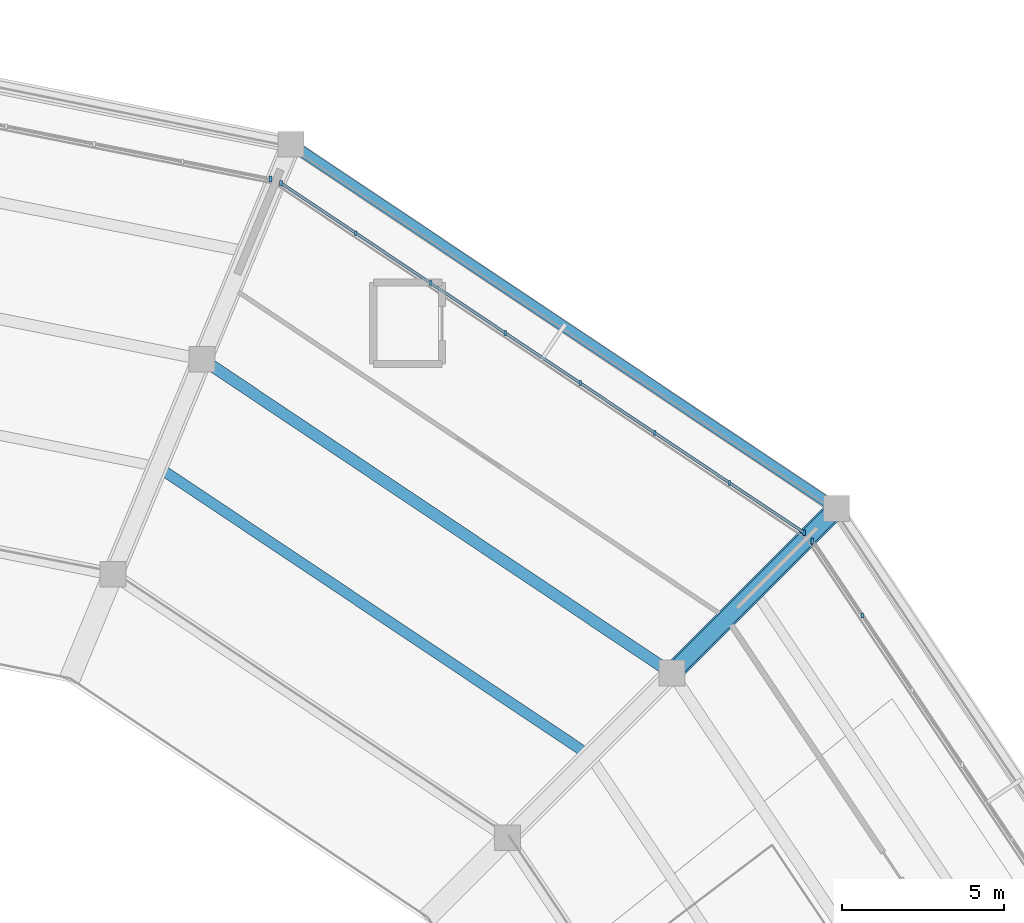
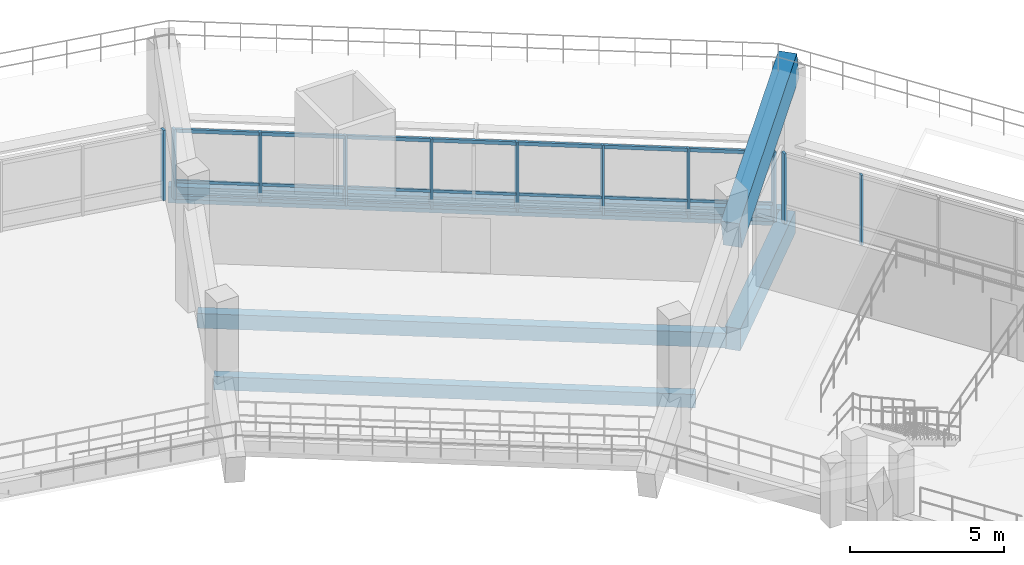
# One storey, part 47 of 96: 14 members, 5 beams, 3 elements without a shape of their own.
"""IFC4 building model written with IfcOpenShell, lengths in metres."""

from ifc_helpers import new_model, si_unit, direction, frame, origin, origin_2d, place, context, subcontext, project, spatial, rectangle, extrude, material, material_profile, profile_set, type_object, element, aggregate, save


model = new_model("IFC4")

# Units and contexts
model_context = context("Model", 3, precision=1e-05, world=origin(), true_north=direction((0.0, 1.0)))
body_context = subcontext(model_context, "Body", "Model", "MODEL_VIEW")
ifc_project = project(units=[si_unit("LENGTHUNIT", "METRE"), si_unit("AREAUNIT", "SQUARE_METRE"), si_unit("VOLUMEUNIT", "CUBIC_METRE"), si_unit("PLANEANGLEUNIT", "RADIAN"), si_unit("MASSUNIT", "GRAM", prefix="KILO")], contexts=[model_context])

# Site, building, storey
site_placement = place(None, origin())
site = spatial("IfcSite", under=ifc_project, at=site_placement, CompositionType="ELEMENT")
building_placement = place(site_placement, origin())
building = spatial("IfcBuilding", under=site, at=building_placement, Name="Candeia Ridge Stadium", CompositionType="ELEMENT")
storey_placement = place(building_placement, frame((0.0, 0.0, 21.60009765625)))
storey = spatial("IfcBuildingStorey", under=building, at=storey_placement, Name="L04", CompositionType="ELEMENT", Elevation=21.60009765625)

# Curtain wall, member
ifc_material_1 = material(Name="Aluminium Anodized Warm Bronze", Category="aluminium")
curtain_wall_type = type_object("IfcCurtainWallType", Name="Concourse Recessed Unitised Curtain Wall", PredefinedType="NOTDEFINED", material=ifc_material_1)
curtain_wall_1_placement = place(storey_placement, origin())
curtain_wall_1 = element("IfcCurtainWall", 1, at=curtain_wall_1_placement, inside=storey, type_object=curtain_wall_type, Name="Unitised curtain wall CW-BWL-L04-33", PredefinedType="NOTDEFINED")
ifc_material_profile_1 = material_profile(ifc_material_1, rectangle(XDim=0.090087890625, YDim=0.179931640625, at=origin_2d()), Name="CWM-90x180", Category="aluminium")
ifc_profile_set_1 = profile_set([ifc_material_profile_1], Name="Aluminium Anodized Warm Bronze")
member_type_1 = type_object("IfcMemberType", Name="Curtain Wall Primary Mullion 90x180", PredefinedType="MULLION", material=ifc_profile_set_1)
member_1_placement = place(storey_placement, frame((177.02099609375, 130.771484375, 0.0), z_axis=(0.0, 0.0, 1.0), x_axis=(1.0, 0.0, 0.0)))
member_1 = element("IfcMember", 2, at=member_1_placement, type_object=member_type_1, Name="Curtain wall mullion CW-BWL-L04-33-M7", PredefinedType="MULLION", context=body_context, shape_type="SweptSolid", body=[
    extrude(rectangle(XDim=0.090087890625, YDim=0.179931640625, at=origin_2d()), origin(), (0.0, 0.0, 1.0), 2.772216796875),
])

# Curtain wall, members
curtain_wall_2_placement = place(storey_placement, origin())
curtain_wall_2 = element("IfcCurtainWall", 3, at=curtain_wall_2_placement, inside=storey, type_object=curtain_wall_type, Name="Unitised curtain wall CW-BWL-L04-34", PredefinedType="NOTDEFINED")
member_2_placement = place(storey_placement, frame((176.771484375, 131.02099609375, 0.0), z_axis=(0.0, 0.0, 1.0), x_axis=(1.0, 0.0, 0.0)))
member_2 = element("IfcMember", 4, at=member_2_placement, type_object=member_type_1, Name="Curtain wall mullion CW-BWL-L04-34-M0", PredefinedType="MULLION", context=body_context, shape_type="SweptSolid", body=[
    extrude(rectangle(XDim=0.090087890625, YDim=0.179931640625, at=origin_2d()), origin(), (0.0, 0.0, 1.0), 2.772216796875),
])
member_3_placement = place(storey_placement, frame((160.590087890625, 141.8330078125, 0.0), z_axis=(0.0, 0.0, 1.0), x_axis=(1.0, 0.0, 0.0)))
member_3 = element("IfcMember", 5, at=member_3_placement, type_object=member_type_1, Name="Curtain wall mullion CW-BWL-L04-34-M7", PredefinedType="MULLION", context=body_context, shape_type="SweptSolid", body=[
    extrude(rectangle(XDim=0.090087890625, YDim=0.179931640625, at=origin_2d()), origin(), (0.0, 0.0, 1.0), 2.772216796875),
])

# Curtain wall, member
curtain_wall_3_placement = place(storey_placement, origin())
curtain_wall_3 = element("IfcCurtainWall", 6, at=curtain_wall_3_placement, inside=storey, type_object=curtain_wall_type, Name="Unitised curtain wall CW-BWL-L04-35", PredefinedType="NOTDEFINED")
member_4_placement = place(storey_placement, frame((160.263916015625, 141.96826171875, 0.0), z_axis=(0.0, 0.0, 1.0), x_axis=(1.0, 0.0, 0.0)))
member_4 = element("IfcMember", 7, at=member_4_placement, type_object=member_type_1, Name="Curtain wall mullion CW-BWL-L04-35-M0", PredefinedType="MULLION", context=body_context, shape_type="SweptSolid", body=[
    extrude(rectangle(XDim=0.090087890625, YDim=0.179931640625, at=origin_2d()), origin(), (0.0, 0.0, 1.0), 2.772216796875),
])
aggregate(curtain_wall_3, [member_4])

# Member
ifc_material_profile_2 = material_profile(ifc_material_1, rectangle(XDim=0.074951171875, YDim=0.14990234375, at=origin_2d()), Name="CWM-75x150", Category="aluminium")
ifc_profile_set_2 = profile_set([ifc_material_profile_2], Name="Aluminium Anodized Warm Bronze")
member_type_2 = type_object("IfcMemberType", Name="Curtain Wall Secondary Mullion 75x150", PredefinedType="MULLION", material=ifc_profile_set_2)
member_5_placement = place(storey_placement, frame((178.565673828125, 128.459716796875, 0.0), z_axis=(0.0, 0.0, 1.0), x_axis=(1.0, 0.0, 0.0)))
member_5 = element("IfcMember", 8, at=member_5_placement, type_object=member_type_2, Name="Curtain wall mullion CW-BWL-L04-33-M6", PredefinedType="MULLION", context=body_context, shape_type="SweptSolid", body=[
    extrude(rectangle(XDim=0.074951171875, YDim=0.14990234375, at=origin_2d()), origin(), (0.0, 0.0, 1.0), 2.772216796875),
])

aggregate(curtain_wall_1, [member_5, member_1])

member_6_placement = place(storey_placement, frame((174.459716796875, 132.565673828125, 0.0), z_axis=(0.0, 0.0, 1.0), x_axis=(1.0, 0.0, 0.0)))
member_6 = element("IfcMember", 9, at=member_6_placement, type_object=member_type_2, Name="Curtain wall mullion CW-BWL-L04-34-M1", PredefinedType="MULLION", context=body_context, shape_type="SweptSolid", body=[
    extrude(rectangle(XDim=0.074951171875, YDim=0.14990234375, at=origin_2d()), origin(), (0.0, 0.0, 1.0), 2.772216796875),
])

member_7_placement = place(storey_placement, frame((172.148193359375, 134.110107421875, 0.0), z_axis=(0.0, 0.0, 1.0), x_axis=(1.0, 0.0, 0.0)))
member_7 = element("IfcMember", 10, at=member_7_placement, type_object=member_type_2, Name="Curtain wall mullion CW-BWL-L04-34-M2", PredefinedType="MULLION", context=body_context, shape_type="SweptSolid", body=[
    extrude(rectangle(XDim=0.074951171875, YDim=0.14990234375, at=origin_2d()), origin(), (0.0, 0.0, 1.0), 2.772216796875),
])

member_8_placement = place(storey_placement, frame((169.83642578125, 135.65478515625, 0.0), z_axis=(0.0, 0.0, 1.0), x_axis=(1.0, 0.0, 0.0)))
member_8 = element("IfcMember", 11, at=member_8_placement, type_object=member_type_2, Name="Curtain wall mullion CW-BWL-L04-34-M3", PredefinedType="MULLION", context=body_context, shape_type="SweptSolid", body=[
    extrude(rectangle(XDim=0.074951171875, YDim=0.14990234375, at=origin_2d()), origin(), (0.0, 0.0, 1.0), 2.772216796875),
])

member_9_placement = place(storey_placement, frame((167.52490234375, 137.19921875, 0.0), z_axis=(0.0, 0.0, 1.0), x_axis=(1.0, 0.0, 0.0)))
member_9 = element("IfcMember", 12, at=member_9_placement, type_object=member_type_2, Name="Curtain wall mullion CW-BWL-L04-34-M4", PredefinedType="MULLION", context=body_context, shape_type="SweptSolid", body=[
    extrude(rectangle(XDim=0.074951171875, YDim=0.14990234375, at=origin_2d()), origin(), (0.0, 0.0, 1.0), 2.772216796875),
])

member_10_placement = place(storey_placement, frame((165.21337890625, 138.743896484375, 0.0), z_axis=(0.0, 0.0, 1.0), x_axis=(1.0, 0.0, 0.0)))
member_10 = element("IfcMember", 13, at=member_10_placement, type_object=member_type_2, Name="Curtain wall mullion CW-BWL-L04-34-M5", PredefinedType="MULLION", context=body_context, shape_type="SweptSolid", body=[
    extrude(rectangle(XDim=0.074951171875, YDim=0.14990234375, at=origin_2d()), origin(), (0.0, 0.0, 1.0), 2.772216796875),
])

member_11_placement = place(storey_placement, frame((162.901611328125, 140.28857421875, 0.0), z_axis=(0.0, 0.0, 1.0), x_axis=(1.0, 0.0, 0.0)))
member_11 = element("IfcMember", 14, at=member_11_placement, type_object=member_type_2, Name="Curtain wall mullion CW-BWL-L04-34-M6", PredefinedType="MULLION", context=body_context, shape_type="SweptSolid", body=[
    extrude(rectangle(XDim=0.074951171875, YDim=0.14990234375, at=origin_2d()), origin(), (0.0, 0.0, 1.0), 2.772216796875),
])

ifc_material_profile_3 = material_profile(ifc_material_1, rectangle(XDim=0.074951171875, YDim=0.110107421875, at=origin_2d()), Name="CWT-75x110", Category="aluminium")
ifc_profile_set_3 = profile_set([ifc_material_profile_3], Name="Aluminium Anodized Warm Bronze")
member_type_3 = type_object("IfcMemberType", Name="Curtain Wall Secondary Transom 75x110", PredefinedType="USERDEFINED", material=ifc_profile_set_3)
member_12_placement = place(storey_placement, frame((176.771484375, 131.02099609375, 0.693115234375), z_axis=(-0.831470840517, 0.555568394863, 0.0), x_axis=(-0.555568394863, -0.831470840517, 0.0)))
member_12 = element("IfcMember", 15, at=member_12_placement, type_object=member_type_3, Name="Curtain wall transom CW-BWL-L04-34-T1", ObjectType="TRANSOM", PredefinedType="USERDEFINED", context=body_context, shape_type="SweptSolid", body=[
    extrude(rectangle(XDim=0.074951171875, YDim=0.110107421875, at=origin_2d()), origin(), (0.0, 0.0, 1.0), 19.461181640625),
])

ifc_material_profile_4 = material_profile(ifc_material_1, rectangle(XDim=0.090087890625, YDim=0.139892578125, at=origin_2d()), Name="CWT-90x140", Category="aluminium")
ifc_profile_set_4 = profile_set([ifc_material_profile_4], Name="Aluminium Anodized Warm Bronze")
member_type_4 = type_object("IfcMemberType", Name="Curtain Wall Transom 90x140", PredefinedType="USERDEFINED", material=ifc_profile_set_4)
member_13_placement = place(storey_placement, frame((176.771484375, 131.02099609375, 0.06982421875), z_axis=(-0.831470840517, 0.555568394863, 0.0), x_axis=(-0.555568394863, -0.831470840517, 0.0)))
member_13 = element("IfcMember", 16, at=member_13_placement, type_object=member_type_4, Name="Curtain wall transom CW-BWL-L04-34-T0", ObjectType="TRANSOM", PredefinedType="USERDEFINED", context=body_context, shape_type="SweptSolid", body=[
    extrude(rectangle(XDim=0.090087890625, YDim=0.139892578125, at=origin_2d()), origin(), (0.0, 0.0, 1.0), 19.461181640625),
])

member_14_placement = place(storey_placement, frame((176.771484375, 131.02099609375, 2.7021484375), z_axis=(-0.831470840517, 0.555568394863, 0.0), x_axis=(-0.555568394863, -0.831470840517, 0.0)))
member_14 = element("IfcMember", 17, at=member_14_placement, type_object=member_type_4, Name="Curtain wall transom CW-BWL-L04-34-T2", ObjectType="TRANSOM", PredefinedType="USERDEFINED", context=body_context, shape_type="SweptSolid", body=[
    extrude(rectangle(XDim=0.090087890625, YDim=0.139892578125, at=origin_2d()), origin(), (0.0, 0.0, 1.0), 19.461181640625),
])

aggregate(curtain_wall_2, [member_2, member_6, member_7, member_8, member_9, member_10, member_11, member_3, member_13, member_12, member_14])

# Beams
ifc_material_2 = material(Name="Concrete C40/50", Category="concrete")
ifc_material_profile_5 = material_profile(ifc_material_2, rectangle(XDim=0.330078125, YDim=0.530029296875, at=origin_2d()), Name="RC330x530", Category="concrete")
ifc_profile_set_5 = profile_set([ifc_material_profile_5], Name="Concrete C40/50")
beam_type_1 = type_object("IfcBeamType", Name="Floor Joist RC330x530", PredefinedType="JOIST", material=ifc_profile_set_5)
beam_1_placement = place(storey_placement, frame((169.9482421875, 124.256103515625, -0.525146484375), z_axis=(-0.831470752017, 0.555568527312, 0.0), x_axis=(-0.555568527312, -0.831470752017, 0.0)))
element("IfcBeam", 18, at=beam_1_placement, inside=storey, type_object=beam_type_1, Name="Concourse secondary joist BM-L04-0955", PredefinedType="JOIST", context=body_context, shape_type="SweptSolid", body=[
    extrude(rectangle(XDim=0.330078125, YDim=0.530029296875, at=origin_2d()), origin(), (0.0, 0.0, 1.0), 15.63134765625),
])
ifc_material_profile_6 = material_profile(ifc_material_2, rectangle(XDim=0.360107421875, YDim=0.580078125, at=origin_2d()), Name="RC360x580", Category="concrete")
ifc_profile_set_6 = profile_set([ifc_material_profile_6], Name="Concrete C40/50")
beam_type_2 = type_object("IfcBeamType", Name="Frame Girder RC360x580", PredefinedType="BEAM", material=ifc_profile_set_6)
beam_2_placement = place(storey_placement, frame((172.54541015625, 126.767333984375, -0.550048828125), z_axis=(-0.831467614091, 0.555573223542, 0.0), x_axis=(-0.555573223542, -0.831467614091, 0.0)))
element("IfcBeam", 19, at=beam_2_placement, inside=storey, type_object=beam_type_2, Name="Concourse spine girder BM-L04-0953", PredefinedType="BEAM", context=body_context, shape_type="SweptSolid", body=[
    extrude(rectangle(XDim=0.360107421875, YDim=0.580078125, at=origin_2d()), origin(), (0.0, 0.0, 1.0), 17.16015625),
])
ifc_material_3 = material(Name="Concrete C45/55", Category="concrete")
ifc_material_profile_7 = material_profile(ifc_material_3, rectangle(XDim=0.52001953125, YDim=0.8798828125, at=origin_2d()), Name="RC520x880", Category="concrete")
ifc_profile_set_7 = profile_set([ifc_material_profile_7], Name="Concrete C45/55")
beam_type_3 = type_object("IfcBeamType", Name="Frame Girder RC520x880", PredefinedType="BEAM", material=ifc_profile_set_7)
beam_3_placement = place(storey_placement, frame((172.79150390625, 126.79150390625, -0.7001953125), z_axis=(0.707106781187, 0.707106781187, 0.0), x_axis=(-0.707106781187, 0.707106781187, 0.0)))
element("IfcBeam", 20, at=beam_3_placement, inside=storey, type_object=beam_type_3, Name="Bowl radial girder BM-L04-0790", PredefinedType="BEAM", context=body_context, shape_type="SweptSolid", body=[
    extrude(rectangle(XDim=0.52001953125, YDim=0.8798828125, at=origin_2d()), origin(), (0.0, 0.0, 1.0), 6.880126953125),
])
ifc_material_profile_8 = material_profile(ifc_material_2, rectangle(XDim=0.330078125, YDim=0.639892578125, at=origin_2d()), Name="RC330x640", Category="concrete")
ifc_profile_set_8 = profile_set([ifc_material_profile_8], Name="Concrete C40/50")
beam_type_4 = type_object("IfcBeamType", Name="Spandrel Beam RC330x640", PredefinedType="SPANDREL", material=ifc_profile_set_8)
beam_4_placement = place(storey_placement, frame((177.636474609375, 131.8583984375, -0.580078125), z_axis=(-0.831468647505, 0.555571676938, 0.0), x_axis=(-0.555571676938, -0.831468647505, 0.0)))
element("IfcBeam", 21, at=beam_4_placement, inside=storey, type_object=beam_type_4, Name="Bowl perimeter spandrel BM-L04-0954", PredefinedType="SPANDREL", context=body_context, shape_type="SweptSolid", body=[
    extrude(rectangle(XDim=0.330078125, YDim=0.639892578125, at=origin_2d()), origin(), (0.0, 0.0, 1.0), 19.969482421875),
])
ifc_material_profile_9 = material_profile(ifc_material_3, rectangle(XDim=0.6201171875, YDim=1.179931640625, at=origin_2d()), Name="RC620x1180", Category="concrete")
ifc_profile_set_9 = profile_set([ifc_material_profile_9], Name="Concrete C45/55")
beam_type_5 = type_object("IfcBeamType", Name="Stand Raker Beam RC620x1180", PredefinedType="USERDEFINED", material=ifc_profile_set_9)
beam_5_placement = place(storey_placement, frame((172.678466796875, 126.678466796875, 3.531982421875), z_axis=(0.684526258394, 0.684526258394, 0.250694242332), x_axis=(-0.707106781187, 0.707106781187, 0.0)))
element("IfcBeam", 22, at=beam_5_placement, inside=storey, type_object=beam_type_5, Name="Stand T3 outer raker beam 35", ObjectType="RAKER", PredefinedType="USERDEFINED", context=body_context, shape_type="SweptSolid", body=[
    extrude(rectangle(XDim=0.6201171875, YDim=1.179931640625, at=origin_2d()), origin(), (0.0, 0.0, 1.0), 7.437255859375),
])

save(model, "model.ifc")
